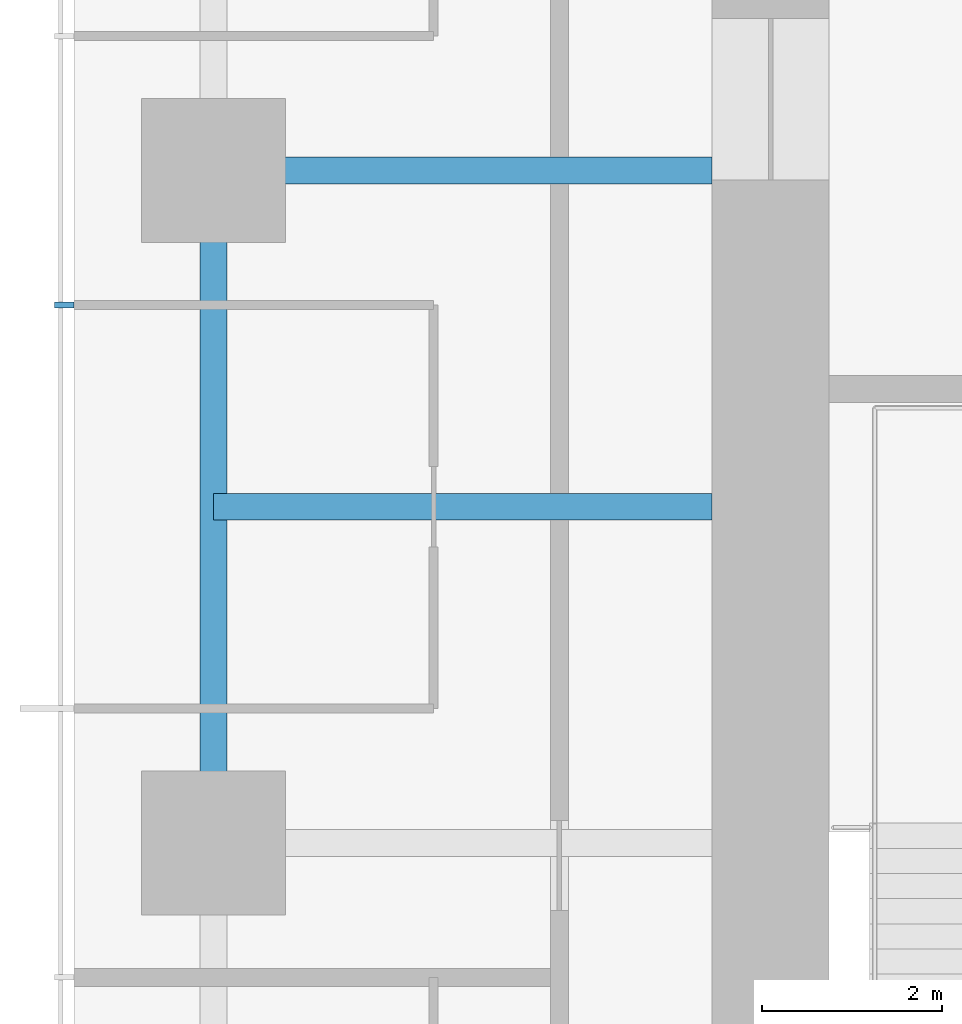
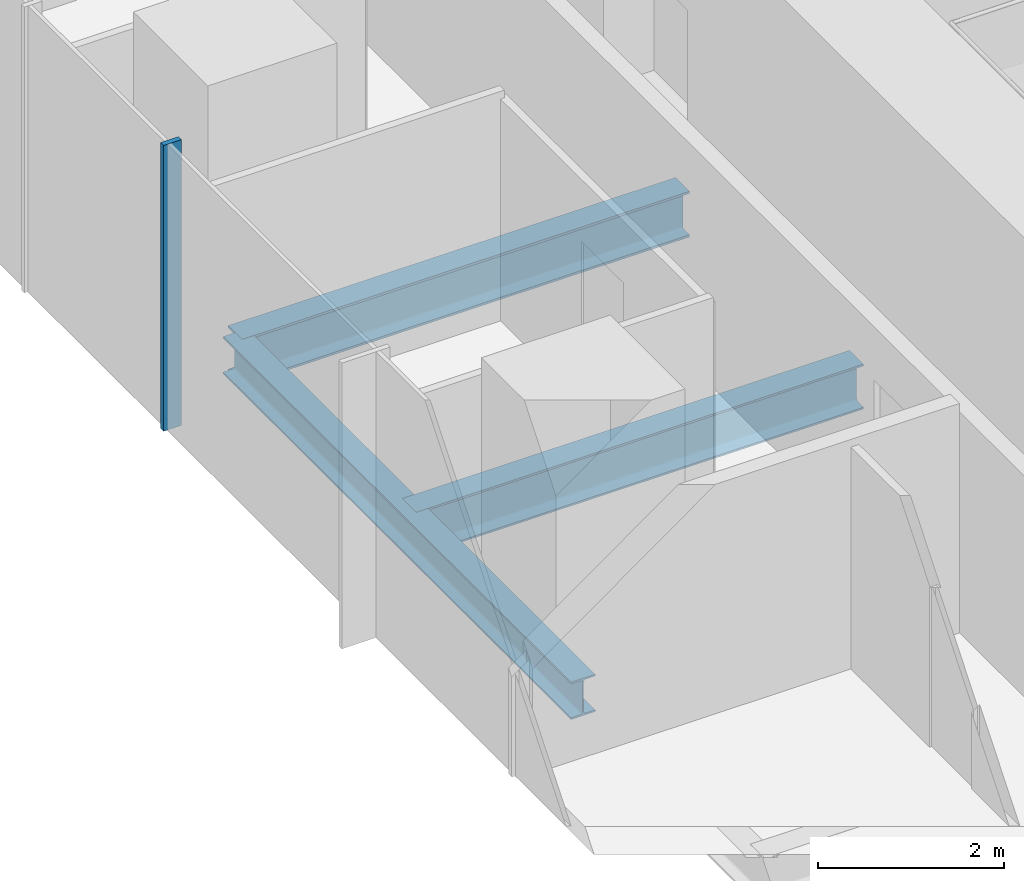
# One storey, part 3 of 12: 3 beams, 1 member, 1 element without a shape of its own.
"""IFC4 building model written with IfcOpenShell, lengths in metres."""

from ifc_helpers import new_model, si_unit, direction, frame, origin, origin_2d, place, context, subcontext, project, spatial, rectangle, i_section, extrude, material, material_profile, profile_set, type_object, element, aggregate, save


model = new_model("IFC4")

# Units and contexts
model_context = context("Model", 3, precision=1e-05, world=origin(), true_north=direction((0.0, 1.0)))
body_context = subcontext(model_context, "Body", "Model", "MODEL_VIEW")
ifc_project = project(units=[si_unit("LENGTHUNIT", "METRE"), si_unit("AREAUNIT", "SQUARE_METRE"), si_unit("VOLUMEUNIT", "CUBIC_METRE"), si_unit("PLANEANGLEUNIT", "RADIAN"), si_unit("MASSUNIT", "GRAM", prefix="KILO")], contexts=[model_context])

# Site, building, storey
site_placement = place(None, origin())
site = spatial("IfcSite", under=ifc_project, at=site_placement, CompositionType="ELEMENT")
building_placement = place(site_placement, origin())
building = spatial("IfcBuilding", under=site, at=building_placement, Name="Khuree Lantern Residences", CompositionType="ELEMENT")
storey_placement = place(building_placement, frame((0.0, 0.0, 323.25)))
storey = spatial("IfcBuildingStorey", under=building, at=storey_placement, Name="L81", CompositionType="ELEMENT", Elevation=323.25)

# Beams
ifc_material_1 = material(Name="Steel S355", Category="steel")
ifc_material_profile_1 = material_profile(ifc_material_1, i_section(OverallWidth=0.300048828125, OverallDepth=0.590087890625, WebThickness=0.012939453125, FlangeThickness=0.02490234375, FilletRadius=0.027099609375, at=origin_2d()), Name="HE 600 A")
ifc_profile_set_1 = profile_set([ifc_material_profile_1], Name="Steel S355")
beam_type_1 = type_object("IfcBeamType", Name="B-43 SECONDARY BEAM HE 600 A", PredefinedType="BEAM", material=ifc_profile_set_1)
beam_1_placement = place(storey_placement, frame((-21.699951171875, 3.739990234375, -0.544921875), z_axis=(1.0, 0.0, 0.0), x_axis=(0.0, 1.0, 0.0)))
element("IfcBeam", 1, at=beam_1_placement, inside=storey, type_object=beam_type_1, Name="Secondary beam W4", PredefinedType="BEAM", context=body_context, shape_type="SweptSolid", body=[
    extrude(i_section(OverallWidth=0.300048828125, OverallDepth=0.590087890625, WebThickness=0.012939453125, FlangeThickness=0.02490234375, FilletRadius=0.027099609375, at=origin_2d()), origin(), (0.0, 0.0, 1.0), 5.550048828125),
])
ifc_material_profile_2 = material_profile(ifc_material_1, i_section(OverallWidth=0.300048828125, OverallDepth=0.489990234375, WebThickness=0.011962890625, FlangeThickness=0.02294921875, FilletRadius=0.027099609375, at=origin_2d()), Name="HE 500 A")
ifc_profile_set_2 = profile_set([ifc_material_profile_2], Name="Steel S355")
beam_type_2 = type_object("IfcBeamType", Name="E-43 SPANDREL BEAM HE 500 A", PredefinedType="SPANDREL", material=ifc_profile_set_2)
beam_2_placement = place(storey_placement, frame((-21.699951171875, 0.0, -0.4951171875), z_axis=(0.0, 1.0, 0.0), x_axis=(-1.0, 0.0, 0.0)))
element("IfcBeam", 2, at=beam_2_placement, inside=storey, type_object=beam_type_2, Name="Spandrel beam W4", PredefinedType="SPANDREL", context=body_context, shape_type="SweptSolid", body=[
    extrude(i_section(OverallWidth=0.300048828125, OverallDepth=0.489990234375, WebThickness=0.011962890625, FlangeThickness=0.02294921875, FilletRadius=0.027099609375, at=origin_2d()), origin(), (0.0, 0.0, 1.0), 7.47998046875),
])
ifc_material_profile_3 = material_profile(ifc_material_1, i_section(OverallWidth=0.300048828125, OverallDepth=0.60009765625, WebThickness=0.015380859375, FlangeThickness=0.030029296875, FilletRadius=0.027099609375, at=origin_2d()), Name="HE 600 B")
ifc_profile_set_3 = profile_set([ifc_material_profile_3], Name="Steel S355")
beam_type_3 = type_object("IfcBeamType", Name="G-43 GIRDER HE 600 B", PredefinedType="BEAM", material=ifc_profile_set_3)
beam_3_placement = place(storey_placement, frame((-21.699951171875, 7.47998046875, -0.550048828125), z_axis=(1.0, 0.0, 0.0), x_axis=(0.0, 1.0, 0.0)))
element("IfcBeam", 3, at=beam_3_placement, inside=storey, type_object=beam_type_3, Name="Girder W4", PredefinedType="BEAM", context=body_context, shape_type="SweptSolid", body=[
    extrude(i_section(OverallWidth=0.300048828125, OverallDepth=0.60009765625, WebThickness=0.015380859375, FlangeThickness=0.030029296875, FilletRadius=0.027099609375, at=origin_2d()), origin(), (0.0, 0.0, 1.0), 5.550048828125),
])

# Curtain wall, member
ifc_material_2 = material(Name="Bronze anodised aluminium", Category="aluminium")
curtain_wall_type = type_object("IfcCurtainWallType", Name="CW-T1 TOWER FACE CURTAIN WALL", PredefinedType="USERDEFINED", material=ifc_material_2)
curtain_wall_placement = place(storey_placement, origin())
curtain_wall = element("IfcCurtainWall", 4, at=curtain_wall_placement, inside=storey, type_object=curtain_wall_type, Name="L81 WEST FACE CURTAIN WALL", ObjectType="Stick-built curtain wall", PredefinedType="USERDEFINED")
ifc_material_profile_4 = material_profile(ifc_material_2, rectangle(XDim=0.06494140625, YDim=0.219970703125, at=origin_2d()), Name="M1 65X220")
ifc_profile_set_4 = profile_set([ifc_material_profile_4], Name="Bronze anodised aluminium")
member_type = type_object("IfcMemberType", Name="M1 BRONZE MULLION TOWER 65X220", PredefinedType="MULLION", material=ifc_profile_set_4)
member_placement = place(storey_placement, frame((-23.360107421875, 5.98388671875, 0.0), z_axis=(0.0, 0.0, 1.0), x_axis=(0.0, -1.0, 0.0)))
member = element("IfcMember", 5, at=member_placement, type_object=member_type, Name="L81 WEST FACE MULLION 36", PredefinedType="MULLION", context=body_context, shape_type="SweptSolid", body=[
    extrude(rectangle(XDim=0.06494140625, YDim=0.219970703125, at=origin_2d()), origin(), (0.0, 0.0, 1.0), 3.75),
])
aggregate(curtain_wall, [member])

save(model, "model.ifc")
